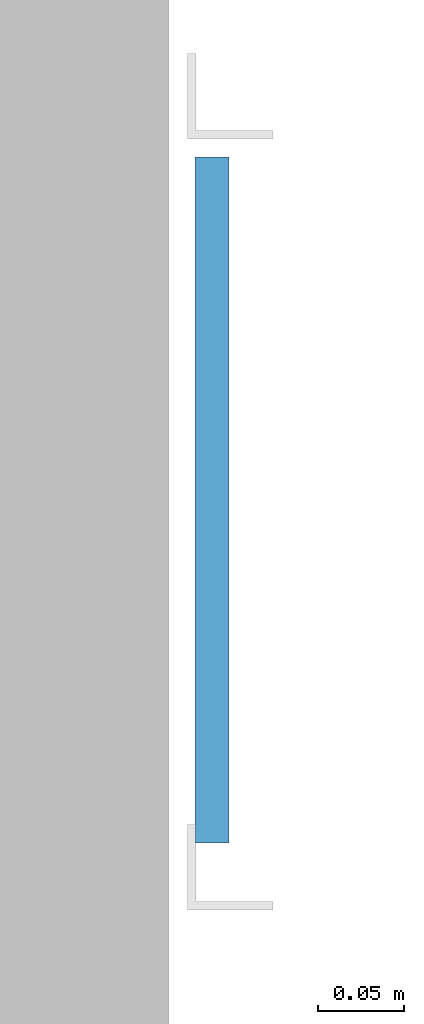
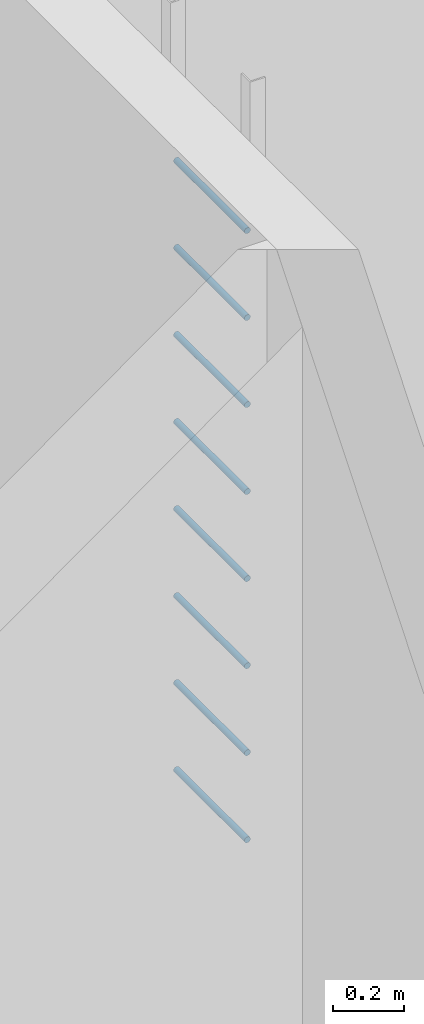
# One storey, part 16 of 33: 8 members.
"""IFC4 building model written with IfcOpenShell, lengths in metres."""

import ifcopenshell
import ifcopenshell.guid

model = None  # the IFC model being written
_history = None  # IfcOwnerHistory: only IFC2X3 demands one
_inside = {}  # id of a spatial element -> (the spatial element, [elements in it])
_under = {}  # id of a project, library or spatial element -> (it, [spatial elements below it])
_declared = {}  # id of a project -> (the project, [libraries it declares])
_typed = {}  # id of a type object -> (the type object, [elements of that type])
_made_of = {}  # id of a material, layer set ... -> (it, [elements and type objects made of it])


def new_model(schema):
    """Start an empty IFC model of exactly this schema.

    Asked for "IFC4X3", IfcOpenShell would pick the latest addendum, in which some entities
    have other attributes; the version numbers below select the first issue.
    IFC2X3 requires an IfcOwnerHistory on every rooted entity: one is made here for all.
    """
    global model, _history
    if schema == "IFC4X3":
        model = ifcopenshell.file(schema_version=(4, 3, 0, 0))
    else:
        model = ifcopenshell.file(schema=schema)
    _inside.clear()
    _under.clear()
    _declared.clear()
    _typed.clear()
    _made_of.clear()
    _history = None
    if model.schema == "IFC2X3":
        org = make("IfcOrganization", Name="unknown")
        user = make(
            "IfcPersonAndOrganization",
            ThePerson=make("IfcPerson", FamilyName="unknown"),
            TheOrganization=org,
        )
        app = make(
            "IfcApplication",
            ApplicationDeveloper=org,
            Version="unknown",
            ApplicationFullName="unknown",
            ApplicationIdentifier="unknown",
        )
        _history = make(
            "IfcOwnerHistory",
            OwningUser=user,
            OwningApplication=app,
            ChangeAction="ADDED",
            CreationDate=0,
        )
    return model


def make(cls, **values):
    """One entity of the class cls with the attributes given. An attribute that is None is left unset."""
    return model.create_entity(
        cls, **{name: value for name, value in values.items() if value is not None}
    )


def rooted(cls, **values):
    """An entity with a GlobalId (a new one), such as an element, a storey or a relation."""
    return make(cls, GlobalId=ifcopenshell.guid.new(), OwnerHistory=_history, **values)


def si_unit(unit_type, name, prefix=None):
    """IfcSIUnit, for example si_unit("LENGTHUNIT", "METRE", prefix="MILLI")."""
    return make("IfcSIUnit", UnitType=unit_type, Prefix=prefix, Name=name)


def assignment(units):
    """IfcUnitAssignment: the units of a project."""
    return None if units is None else make("IfcUnitAssignment", Units=units)


def point(xyz):
    """IfcCartesianPoint."""
    return None if xyz is None else make("IfcCartesianPoint", Coordinates=xyz)


def direction(xyz):
    """IfcDirection."""
    return None if xyz is None else make("IfcDirection", DirectionRatios=xyz)


def frame(location, z_axis=None, x_axis=None):
    """IfcAxis2Placement3D, a coordinate frame: its origin and axes. An axis left out is left unset."""
    return make(
        "IfcAxis2Placement3D",
        Location=point(location),
        Axis=direction(z_axis),
        RefDirection=direction(x_axis),
    )


def frame_2d(location, x_axis=None):
    """IfcAxis2Placement2D, a coordinate frame in the plane: its origin and x axis."""
    return make(
        "IfcAxis2Placement2D", Location=point(location), RefDirection=direction(x_axis)
    )


def origin():
    """The frame at (0, 0, 0) with its axes left unset."""
    return frame((0.0, 0.0, 0.0))


def origin_2d():
    """The frame at (0, 0) in the plane with its x axis left unset."""
    return frame_2d((0.0, 0.0))


def place(relative_to, where):
    """IfcLocalPlacement: puts the frame where relative to a parent placement (None: the world)."""
    return make(
        "IfcLocalPlacement", PlacementRelTo=relative_to, RelativePlacement=where
    )


def context(
    kind, dimensions, precision=None, world=None, true_north=None, identifier=None
):
    """IfcGeometricRepresentationContext, for example the 3D "Model" context."""
    return make(
        "IfcGeometricRepresentationContext",
        ContextIdentifier=identifier,
        ContextType=kind,
        CoordinateSpaceDimension=dimensions,
        Precision=precision,
        WorldCoordinateSystem=world,
        TrueNorth=true_north,
    )


def subcontext(parent, identifier, kind, view, scale=None):
    """IfcGeometricRepresentationSubContext, for example "Body" below "Model"."""
    return make(
        "IfcGeometricRepresentationSubContext",
        ContextIdentifier=identifier,
        ContextType=kind,
        ParentContext=parent,
        TargetScale=scale,
        TargetView=view,
    )


def project(units=None, contexts=None):
    """IfcProject with its units and contexts."""
    return rooted(
        "IfcProject",
        Name="project",
        RepresentationContexts=contexts,
        UnitsInContext=assignment(units),
    )


def spatial(cls, under=None, at=None, **own):
    """A site, building, storey or space (cls), placed at a placement, below another one or the project."""
    s = rooted(cls, ObjectPlacement=at, **own)
    if under is not None:
        _under.setdefault(under.id(), (under, []))[1].append(s)
    return s


def profile(cls, at=None, kind="AREA", **sizes):
    """A parametric profile (cls). Its sizes go by their IFC names, for example OverallWidth=200.0."""
    return make(cls, ProfileType=kind, Position=at, **sizes)


def circle(**sizes):
    """IfcCircleProfileDef."""
    return profile("IfcCircleProfileDef", **sizes)


def extrude(swept, where, along, depth):
    """IfcExtrudedAreaSolid: the profile swept, set in the frame where, extruded along a direction by depth."""
    return make(
        "IfcExtrudedAreaSolid",
        SweptArea=swept,
        Position=where,
        ExtrudedDirection=direction(along),
        Depth=depth,
    )


def shape(context_of_items, identifier, shape_type, items):
    """IfcShapeRepresentation: the items that make up one representation, for example the "Body"."""
    return make(
        "IfcShapeRepresentation",
        ContextOfItems=context_of_items,
        RepresentationIdentifier=identifier,
        RepresentationType=shape_type,
        Items=items,
    )


def material(Name=None, Category=None):
    """IfcMaterial."""
    return make("IfcMaterial", Name=Name, Category=Category)


def material_profile(
    of_material, cross_section, Name=None, Category=None, Priority=None
):
    """IfcMaterialProfile: a cross section and its material."""
    return make(
        "IfcMaterialProfile",
        Name=Name,
        Material=of_material,
        Profile=cross_section,
        Priority=Priority,
        Category=Category,
    )


def profile_set(profiles, Name=None, composite=None):
    """IfcMaterialProfileSet."""
    return make(
        "IfcMaterialProfileSet",
        Name=Name,
        MaterialProfiles=profiles,
        CompositeProfile=composite,
    )


def made_of(thing, what):
    """Note that an element or type object is made of a material, layer set ...; save() writes the relation."""
    if what is not None:
        _made_of.setdefault(what.id(), (what, []))[1].append(thing)
    return thing


def type_object(cls, material=None, **own):
    """A type object (cls), such as IfcWallType, which elements share."""
    return made_of(rooted(cls, **own), material)


def element(
    cls,
    number,
    at=None,
    inside=None,
    cuts=None,
    type_object=None,
    material=None,
    context=None,
    identifier="Body",
    shape_type=None,
    held_by="IfcProductDefinitionShape",
    body=None,
    shapes=None,
    **own,
):
    """One element of the class cls, such as IfcWall. Its Tag is "e" and its number.

    at: its placement. inside: the storey or other place that contains it. cuts: it is an
    opening in that element (IfcRelVoidsElement). A single representation is given by context,
    identifier, shape_type and body (its items); several are given by shapes. held_by: the class
    of the entity that holds the representations. save() writes the other relations.
    """
    e = rooted(cls, Tag="e%d" % number, ObjectPlacement=at, **own)
    if body is not None:
        shapes = [shape(context, identifier, shape_type, body)]
    if shapes is not None:
        e.Representation = make(held_by, Representations=shapes)
    if inside is not None:
        _inside.setdefault(inside.id(), (inside, []))[1].append(e)
    if cuts is not None:
        rooted(
            "IfcRelVoidsElement", RelatingBuildingElement=cuts, RelatedOpeningElement=e
        )
    if type_object is not None:
        _typed.setdefault(type_object.id(), (type_object, []))[1].append(e)
    return made_of(e, material)


def aggregate(whole, parts):
    """IfcRelAggregates: a whole, such as a stair, and the parts it consists of."""
    return rooted("IfcRelAggregates", RelatingObject=whole, RelatedObjects=parts)


def save(model, path):
    """Write the relations noted so far, then the file.

    IfcRelAggregates (storeys below a building ...), IfcRelContainedInSpatialStructure (elements
    in a storey), IfcRelDefinesByType, IfcRelAssociatesMaterial and IfcRelDeclares: one each for
    every whole, place, type object, material and project.
    """
    for whole, parts in _under.values():
        aggregate(whole, parts)
    for where, things in _inside.values():
        rooted(
            "IfcRelContainedInSpatialStructure",
            RelatedElements=things,
            RelatingStructure=where,
        )
    for kind, things in _typed.values():
        rooted("IfcRelDefinesByType", RelatedObjects=things, RelatingType=kind)
    for what, things in _made_of.values():
        rooted("IfcRelAssociatesMaterial", RelatedObjects=things, RelatingMaterial=what)
    for by, libraries in _declared.values():
        rooted("IfcRelDeclares", RelatingContext=by, RelatedDefinitions=libraries)
    model.write(path)


model = new_model("IFC4")

# Units and contexts
model_context = context("Model", 3, precision=1e-05, world=origin(), true_north=direction((0.0, 1.0)))
body_context = subcontext(model_context, "Body", "Model", "MODEL_VIEW")
ifc_project = project(units=[si_unit("LENGTHUNIT", "METRE"), si_unit("AREAUNIT", "SQUARE_METRE"), si_unit("VOLUMEUNIT", "CUBIC_METRE"), si_unit("PLANEANGLEUNIT", "RADIAN"), si_unit("MASSUNIT", "GRAM", prefix="KILO")], contexts=[model_context])

# Site, building, storey
site_placement = place(None, origin())
site = spatial("IfcSite", under=ifc_project, at=site_placement, CompositionType="ELEMENT")
building_placement = place(site_placement, origin())
building = spatial("IfcBuilding", under=site, at=building_placement, Name="Ridgestep Commons", CompositionType="ELEMENT")
storey_placement = place(building_placement, frame((0.0, 0.0, 42.0)))
storey = spatial("IfcBuildingStorey", under=building, at=storey_placement, Name="L14", CompositionType="ELEMENT", Elevation=42.0)

# Members
ifc_material = material(Name="Structural steel S355JR", Category="steel")
ifc_material_profile = material_profile(ifc_material, circle(Radius=0.010009765625, at=origin_2d()), Name="Round bar 20")
ifc_profile_set = profile_set([ifc_material_profile], Name="Structural steel S355JR")
member_type = type_object("IfcMemberType", Name="Core ladder rung 20", PredefinedType="STRINGER", material=ifc_profile_set)
for number, where, z_axis, x_axis, name in (
    (1, (166.60009765625, 21.64990234375, 0.300048828125), (0.0, 1.0, 0.0), (-1.0, 0.0, 0.0), "Ladder rung D2C.1"),
    (2, (166.60009765625, 21.64990234375, 0.60009765625), (0.0, 1.0, 0.0), (-1.0, 0.0, 0.0), "Ladder rung D2C.2"),
    (3, (166.60009765625, 21.64990234375, 0.89990234375), (0.0, 1.0, 0.0), (-1.0, 0.0, 0.0), "Ladder rung D2C.3"),
    (4, (166.60009765625, 21.64990234375, 1.199951171875), (0.0, 1.0, 0.0), (-1.0, 0.0, 0.0), "Ladder rung D2C.4"),
    (5, (166.60009765625, 21.64990234375, 1.5), (0.0, 1.0, 0.0), (-1.0, 0.0, 0.0), "Ladder rung D2C.5"),
    (6, (166.60009765625, 21.64990234375, 1.800048828125), (0.0, 1.0, 0.0), (-1.0, 0.0, 0.0), "Ladder rung D2C.6"),
    (7, (166.60009765625, 21.64990234375, 2.10009765625), (0.0, 1.0, 0.0), (-1.0, 0.0, 0.0), "Ladder rung D2C.7"),
    (8, (166.60009765625, 21.64990234375, 2.39990234375), (0.0, 1.0, 0.0), (-1.0, 0.0, 0.0), "Ladder rung D2C.8"),
):
    element("IfcMember", number, at=place(storey_placement, frame(where, z_axis=z_axis, x_axis=x_axis)), inside=storey, type_object=member_type, Name=name, PredefinedType="STRINGER", context=body_context, shape_type="SweptSolid", body=[
        extrude(circle(Radius=0.010009765625, at=origin_2d()), origin(), (0.0, 0.0, 1.0), 0.400146484375),
    ])

save(model, "model.ifc")
